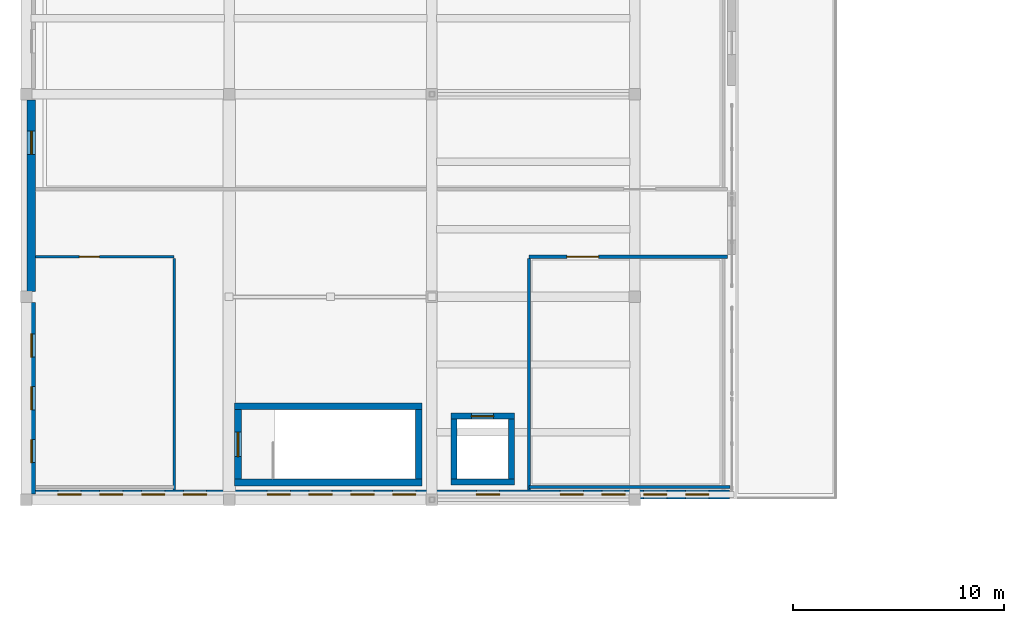
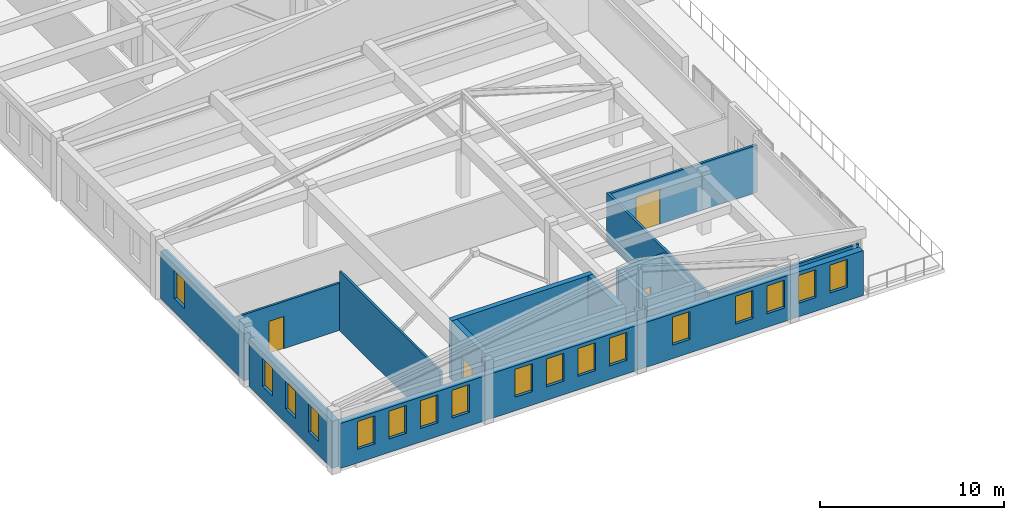
# One storey, part 10 of 31: 17 windows, 16 walls, 4 doors, 21 openings.
"""IFC4 building model written with IfcOpenShell, lengths in metres."""

import ifcopenshell
import ifcopenshell.guid

model = None  # the IFC model being written
_history = None  # IfcOwnerHistory: only IFC2X3 demands one
_inside = {}  # id of a spatial element -> (the spatial element, [elements in it])
_under = {}  # id of a project, library or spatial element -> (it, [spatial elements below it])
_declared = {}  # id of a project -> (the project, [libraries it declares])
_typed = {}  # id of a type object -> (the type object, [elements of that type])
_made_of = {}  # id of a material, layer set ... -> (it, [elements and type objects made of it])


def new_model(schema):
    """Start an empty IFC model of exactly this schema.

    Asked for "IFC4X3", IfcOpenShell would pick the latest addendum, in which some entities
    have other attributes; the version numbers below select the first issue.
    IFC2X3 requires an IfcOwnerHistory on every rooted entity: one is made here for all.
    """
    global model, _history
    if schema == "IFC4X3":
        model = ifcopenshell.file(schema_version=(4, 3, 0, 0))
    else:
        model = ifcopenshell.file(schema=schema)
    _inside.clear()
    _under.clear()
    _declared.clear()
    _typed.clear()
    _made_of.clear()
    _history = None
    if model.schema == "IFC2X3":
        org = make("IfcOrganization", Name="unknown")
        user = make(
            "IfcPersonAndOrganization",
            ThePerson=make("IfcPerson", FamilyName="unknown"),
            TheOrganization=org,
        )
        app = make(
            "IfcApplication",
            ApplicationDeveloper=org,
            Version="unknown",
            ApplicationFullName="unknown",
            ApplicationIdentifier="unknown",
        )
        _history = make(
            "IfcOwnerHistory",
            OwningUser=user,
            OwningApplication=app,
            ChangeAction="ADDED",
            CreationDate=0,
        )
    return model


def make(cls, **values):
    """One entity of the class cls with the attributes given. An attribute that is None is left unset."""
    return model.create_entity(
        cls, **{name: value for name, value in values.items() if value is not None}
    )


def rooted(cls, **values):
    """An entity with a GlobalId (a new one), such as an element, a storey or a relation."""
    return make(cls, GlobalId=ifcopenshell.guid.new(), OwnerHistory=_history, **values)


def si_unit(unit_type, name, prefix=None):
    """IfcSIUnit, for example si_unit("LENGTHUNIT", "METRE", prefix="MILLI")."""
    return make("IfcSIUnit", UnitType=unit_type, Prefix=prefix, Name=name)


def assignment(units):
    """IfcUnitAssignment: the units of a project."""
    return None if units is None else make("IfcUnitAssignment", Units=units)


def point(xyz):
    """IfcCartesianPoint."""
    return None if xyz is None else make("IfcCartesianPoint", Coordinates=xyz)


def direction(xyz):
    """IfcDirection."""
    return None if xyz is None else make("IfcDirection", DirectionRatios=xyz)


def frame(location, z_axis=None, x_axis=None):
    """IfcAxis2Placement3D, a coordinate frame: its origin and axes. An axis left out is left unset."""
    return make(
        "IfcAxis2Placement3D",
        Location=point(location),
        Axis=direction(z_axis),
        RefDirection=direction(x_axis),
    )


def frame_2d(location, x_axis=None):
    """IfcAxis2Placement2D, a coordinate frame in the plane: its origin and x axis."""
    return make(
        "IfcAxis2Placement2D", Location=point(location), RefDirection=direction(x_axis)
    )


def origin():
    """The frame at (0, 0, 0) with its axes left unset."""
    return frame((0.0, 0.0, 0.0))


def place(relative_to, where):
    """IfcLocalPlacement: puts the frame where relative to a parent placement (None: the world)."""
    return make(
        "IfcLocalPlacement", PlacementRelTo=relative_to, RelativePlacement=where
    )


def context(
    kind, dimensions, precision=None, world=None, true_north=None, identifier=None
):
    """IfcGeometricRepresentationContext, for example the 3D "Model" context."""
    return make(
        "IfcGeometricRepresentationContext",
        ContextIdentifier=identifier,
        ContextType=kind,
        CoordinateSpaceDimension=dimensions,
        Precision=precision,
        WorldCoordinateSystem=world,
        TrueNorth=true_north,
    )


def subcontext(parent, identifier, kind, view, scale=None):
    """IfcGeometricRepresentationSubContext, for example "Body" below "Model"."""
    return make(
        "IfcGeometricRepresentationSubContext",
        ContextIdentifier=identifier,
        ContextType=kind,
        ParentContext=parent,
        TargetScale=scale,
        TargetView=view,
    )


def project(units=None, contexts=None):
    """IfcProject with its units and contexts."""
    return rooted(
        "IfcProject",
        Name="project",
        RepresentationContexts=contexts,
        UnitsInContext=assignment(units),
    )


def spatial(cls, under=None, at=None, **own):
    """A site, building, storey or space (cls), placed at a placement, below another one or the project."""
    s = rooted(cls, ObjectPlacement=at, **own)
    if under is not None:
        _under.setdefault(under.id(), (under, []))[1].append(s)
    return s


def profile(cls, at=None, kind="AREA", **sizes):
    """A parametric profile (cls). Its sizes go by their IFC names, for example OverallWidth=200.0."""
    return make(cls, ProfileType=kind, Position=at, **sizes)


def rectangle(**sizes):
    """IfcRectangleProfileDef."""
    return profile("IfcRectangleProfileDef", **sizes)


def extrude(swept, where, along, depth):
    """IfcExtrudedAreaSolid: the profile swept, set in the frame where, extruded along a direction by depth."""
    return make(
        "IfcExtrudedAreaSolid",
        SweptArea=swept,
        Position=where,
        ExtrudedDirection=direction(along),
        Depth=depth,
    )


def shape(context_of_items, identifier, shape_type, items):
    """IfcShapeRepresentation: the items that make up one representation, for example the "Body"."""
    return make(
        "IfcShapeRepresentation",
        ContextOfItems=context_of_items,
        RepresentationIdentifier=identifier,
        RepresentationType=shape_type,
        Items=items,
    )


def material(Name=None, Category=None):
    """IfcMaterial."""
    return make("IfcMaterial", Name=Name, Category=Category)


def layer(
    of_material, thickness, ventilated=None, Name=None, Category=None, Priority=None
):
    """IfcMaterialLayer: one layer of a wall or slab, of a material (None: an air gap)."""
    return make(
        "IfcMaterialLayer",
        Material=of_material,
        LayerThickness=thickness,
        IsVentilated=ventilated,
        Name=Name,
        Category=Category,
        Priority=Priority,
    )


def layer_set(layers, Name=None):
    """IfcMaterialLayerSet."""
    return make("IfcMaterialLayerSet", MaterialLayers=layers, LayerSetName=Name)


def made_of(thing, what):
    """Note that an element or type object is made of a material, layer set ...; save() writes the relation."""
    if what is not None:
        _made_of.setdefault(what.id(), (what, []))[1].append(thing)
    return thing


def type_object(cls, material=None, **own):
    """A type object (cls), such as IfcWallType, which elements share."""
    return made_of(rooted(cls, **own), material)


def element(
    cls,
    number,
    at=None,
    inside=None,
    cuts=None,
    type_object=None,
    material=None,
    context=None,
    identifier="Body",
    shape_type=None,
    held_by="IfcProductDefinitionShape",
    body=None,
    shapes=None,
    **own,
):
    """One element of the class cls, such as IfcWall. Its Tag is "e" and its number.

    at: its placement. inside: the storey or other place that contains it. cuts: it is an
    opening in that element (IfcRelVoidsElement). A single representation is given by context,
    identifier, shape_type and body (its items); several are given by shapes. held_by: the class
    of the entity that holds the representations. save() writes the other relations.
    """
    e = rooted(cls, Tag="e%d" % number, ObjectPlacement=at, **own)
    if body is not None:
        shapes = [shape(context, identifier, shape_type, body)]
    if shapes is not None:
        e.Representation = make(held_by, Representations=shapes)
    if inside is not None:
        _inside.setdefault(inside.id(), (inside, []))[1].append(e)
    if cuts is not None:
        rooted(
            "IfcRelVoidsElement", RelatingBuildingElement=cuts, RelatedOpeningElement=e
        )
    if type_object is not None:
        _typed.setdefault(type_object.id(), (type_object, []))[1].append(e)
    return made_of(e, material)


def fill(opening, filler):
    """IfcRelFillsElement: the door or window that sits in an opening."""
    return rooted(
        "IfcRelFillsElement",
        RelatingOpeningElement=opening,
        RelatedBuildingElement=filler,
    )


def aggregate(whole, parts):
    """IfcRelAggregates: a whole, such as a stair, and the parts it consists of."""
    return rooted("IfcRelAggregates", RelatingObject=whole, RelatedObjects=parts)


def save(model, path):
    """Write the relations noted so far, then the file.

    IfcRelAggregates (storeys below a building ...), IfcRelContainedInSpatialStructure (elements
    in a storey), IfcRelDefinesByType, IfcRelAssociatesMaterial and IfcRelDeclares: one each for
    every whole, place, type object, material and project.
    """
    for whole, parts in _under.values():
        aggregate(whole, parts)
    for where, things in _inside.values():
        rooted(
            "IfcRelContainedInSpatialStructure",
            RelatedElements=things,
            RelatingStructure=where,
        )
    for kind, things in _typed.values():
        rooted("IfcRelDefinesByType", RelatedObjects=things, RelatingType=kind)
    for what, things in _made_of.values():
        rooted("IfcRelAssociatesMaterial", RelatedObjects=things, RelatingMaterial=what)
    for by, libraries in _declared.values():
        rooted("IfcRelDeclares", RelatingContext=by, RelatedDefinitions=libraries)
    model.write(path)


model = new_model("IFC4")

# Units and contexts
model_context = context("Model", 3, precision=1e-05, world=origin(), true_north=direction((0.0, 1.0)))
body_context = subcontext(model_context, "Body", "Model", "MODEL_VIEW")
ifc_project = project(units=[si_unit("LENGTHUNIT", "METRE"), si_unit("AREAUNIT", "SQUARE_METRE"), si_unit("VOLUMEUNIT", "CUBIC_METRE"), si_unit("PLANEANGLEUNIT", "RADIAN"), si_unit("MASSUNIT", "GRAM", prefix="KILO")], contexts=[model_context])

# Site, building, storey
site_placement = place(None, origin())
site = spatial("IfcSite", under=ifc_project, at=site_placement, CompositionType="ELEMENT")
building_placement = place(site_placement, origin())
building = spatial("IfcBuilding", under=site, at=building_placement, Name="Tarnavel Promenade Courthouse", CompositionType="ELEMENT")
storey_placement = place(building_placement, frame((0.0, 0.0, 18.60009765625)))
storey = spatial("IfcBuildingStorey", under=building, at=storey_placement, Name="L05", CompositionType="ELEMENT", Elevation=18.60009765625)

# Wall, opening, door
ifc_material_1 = material(Name="Acoustic Insulated Gypsum Stud Partition", Category="gypsum")
ifc_layer_1 = layer(ifc_material_1, 0.14990234375)
ifc_layer_set_1 = layer_set([ifc_layer_1], Name="Acoustic Insulated Gypsum Stud Partition")
wall_type_1 = type_object("IfcWallType", Name="Acoustic Insulated Gypsum Stud Partition WL-LIB-150 (150 mm)", PredefinedType="PARTITIONING", material=ifc_layer_set_1)
wall_1_placement = place(storey_placement, frame((23.800048828125, 48.699951171875, 0.0), z_axis=(0.0, 0.0, 1.0), x_axis=(1.0, 0.0, 0.0)))
wall_1 = element("IfcWall", 1, at=wall_1_placement, inside=storey, type_object=wall_type_1, Name="L05 Senior Judicial Research Library Partition 0712", PredefinedType="PARTITIONING", context=body_context, shape_type="SweptSolid", body=[
    extrude(rectangle(XDim=9.40087890625, YDim=0.14990234375, at=frame_2d((4.700439453125, 0.0))), origin(), (0.0, 0.0, 1.0), 3.139892578125),
])
opening_1_placement = place(wall_1_placement, frame((1.790283203125, 0.0, 0.0)))
opening_1 = element("IfcOpeningElement", 2, at=opening_1_placement, cuts=wall_1, Name="Opening ID-05", PredefinedType="OPENING", context=body_context, shape_type="SweptSolid", body=[
    extrude(rectangle(XDim=1.5, YDim=2.35009765625, at=frame_2d((0.75, 1.175048828125))), frame((0.0, 0.0849609375, 0.0), z_axis=(0.0, -1.0, 0.0), x_axis=(1.0, 0.0, 0.0)), (0.0, 0.0, 1.0), 0.169921875),
])
ifc_material_2 = material(Name="Glazed Oak Law Library Double Door")
door_type_1 = type_object("IfcDoorType", Name="Glazed Oak Law Library Double Door (DR-LIB-1500x2350)", OperationType="NOTDEFINED", PredefinedType="DOOR", material=ifc_material_2)
door_1_placement = place(opening_1_placement, origin())
door_1 = element("IfcDoor", 3, at=door_1_placement, inside=storey, type_object=door_type_1, Name="L05 Senior Judicial Research Library Door 0204", OperationType="DOUBLE_DOOR_SINGLE_SWING", OverallHeight=2.35009765625, OverallWidth=1.5, PredefinedType="DOOR", context=body_context, shape_type="SweptSolid", body=[
    extrude(rectangle(XDim=1.5, YDim=2.35009765625, at=frame_2d((0.75, 1.175048828125))), frame((0.0, 0.02490234375, 0.0), z_axis=(0.0, -1.0, 0.0), x_axis=(1.0, 0.0, 0.0)), (0.0, 0.0, 1.0), 0.050048828125),
])
fill(opening_1, door_1)

# Walls
wall_2_placement = place(storey_placement, frame((33.31005859375, 37.800048828125, 0.0), z_axis=(0.0, 0.0, 1.0), x_axis=(-1.0, 0.0, 0.0)))
element("IfcWall", 4, at=wall_2_placement, inside=storey, type_object=wall_type_1, Name="L05 Senior Judicial Research Library Partition 0713", PredefinedType="PARTITIONING", context=body_context, shape_type="SweptSolid", body=[
    extrude(rectangle(XDim=9.510009765625, YDim=0.14990234375, at=frame_2d((4.7548828125, 0.0))), origin(), (0.0, 0.0, 1.0), 3.139892578125),
])
wall_3_placement = place(storey_placement, frame((23.800048828125, 37.64892578125, 0.0), z_axis=(0.0, 0.0, 1.0), x_axis=(0.0, 1.0, 0.0)))
element("IfcWall", 5, at=wall_3_placement, inside=storey, type_object=wall_type_1, Name="L05 Senior Judicial Research Library Partition 0714", PredefinedType="PARTITIONING", context=body_context, shape_type="SweptSolid", body=[
    extrude(rectangle(XDim=10.966064453125, YDim=0.14990234375, at=frame_2d((5.48291015625, 0.0))), origin(), (0.0, 0.0, 1.0), 3.289794921875),
])

# Wall, opening, door
ifc_material_3 = material(Name="Concrete C40/50", Category="concrete")
ifc_layer_2 = layer(ifc_material_3, 0.280029296875)
ifc_layer_set_2 = layer_set([ifc_layer_2], Name="Concrete C40/50")
wall_type_2 = type_object("IfcWallType", Name="Concrete C40/50 WL-SHR-280 (280 mm)", PredefinedType="SHEAR", material=ifc_layer_set_2)
wall_4_placement = place(storey_placement, frame((20.10009765625, 41.159912109375, 0.0), z_axis=(0.0, 0.0, 1.0), x_axis=(1.0, 0.0, 0.0)))
wall_4 = element("IfcWall", 6, at=wall_4_placement, inside=storey, type_object=wall_type_2, Name="L05 L-LIB1 Lift Shaft North Wall", PredefinedType="SHEAR", context=body_context, shape_type="SweptSolid", body=[
    extrude(rectangle(XDim=3.0, YDim=0.280029296875, at=frame_2d((1.5, 0.0))), origin(), (0.0, 0.0, 1.0), 3.9599609375),
])
opening_2_placement = place(wall_4_placement, frame((0.97509765625, 0.0, 0.0)))
opening_2 = element("IfcOpeningElement", 7, at=opening_2_placement, cuts=wall_4, Name="Opening LD-02", PredefinedType="OPENING", context=body_context, shape_type="SweptSolid", body=[
    extrude(rectangle(XDim=1.050048828125, YDim=2.199951171875, at=frame_2d((0.52490234375, 1.10009765625))), frame((0.0, 0.14990234375, 0.0), z_axis=(0.0, -1.0, 0.0), x_axis=(1.0, 0.0, 0.0)), (0.0, 0.0, 1.0), 0.300048828125),
])
ifc_material_4 = material(Name="Brushed Bronze Passenger Lift Landing Sliding Door")
door_type_2 = type_object("IfcDoorType", Name="Brushed Bronze Passenger Lift Landing Sliding Door (LD-PUB-1050x2200)", OperationType="NOTDEFINED", PredefinedType="DOOR", material=ifc_material_4)
door_2_placement = place(opening_2_placement, origin())
door_2 = element("IfcDoor", 8, at=door_2_placement, inside=storey, type_object=door_type_2, Name="L05 L-LIB1 Lift Sliding Landing Door", OperationType="DOUBLE_DOOR_SLIDING", OverallHeight=2.199951171875, OverallWidth=1.050048828125, PredefinedType="DOOR", context=body_context, shape_type="SweptSolid", body=[
    extrude(rectangle(XDim=1.050048828125, YDim=2.199951171875, at=frame_2d((0.52490234375, 1.10009765625))), frame((0.0, 0.02490234375, 0.0), z_axis=(0.0, -1.0, 0.0), x_axis=(1.0, 0.0, 0.0)), (0.0, 0.0, 1.0), 0.050048828125),
])
fill(opening_2, door_2)

# Walls
wall_5_placement = place(storey_placement, frame((23.10009765625, 38.0400390625, 0.0), z_axis=(0.0, 0.0, 1.0), x_axis=(-1.0, 0.0, 0.0)))
element("IfcWall", 9, at=wall_5_placement, inside=storey, type_object=wall_type_2, Name="L05 L-LIB1 Lift Shaft South Wall", PredefinedType="SHEAR", context=body_context, shape_type="SweptSolid", body=[
    extrude(rectangle(XDim=3.0, YDim=0.280029296875, at=frame_2d((1.5, 0.0))), origin(), (0.0, 0.0, 1.0), 3.9599609375),
])
for number, where, z_axis, x_axis, name in (
    (10, (20.239990234375, 38.179931640625, 0.0), (0.0, 0.0, 1.0), (0.0, 1.0, 0.0), "L05 L-LIB1 Lift Shaft West Wall"),
    (11, (22.9599609375, 41.02001953125, 0.0), (0.0, 0.0, 1.0), (0.0, -1.0, 0.0), "L05 L-LIB1 Lift Shaft East Wall"),
):
    element("IfcWall", number, at=place(storey_placement, frame(where, z_axis=z_axis, x_axis=x_axis)), inside=storey, type_object=wall_type_2, Name=name, PredefinedType="SHEAR", context=body_context, shape_type="SweptSolid", body=[
        extrude(rectangle(XDim=2.840087890625, YDim=0.280029296875, at=frame_2d((1.419921875, 0.0))), origin(), (0.0, 0.0, 1.0), 3.9599609375),
    ])
ifc_layer_3 = layer(ifc_material_3, 0.320068359375)
ifc_layer_set_3 = layer_set([ifc_layer_3], Name="Concrete C40/50")
wall_type_3 = type_object("IfcWallType", Name="Concrete C40/50 WL-SHR-320 (320 mm)", PredefinedType="SHEAR", material=ifc_layer_set_3)
for number, where, z_axis, x_axis, name in (
    (12, (9.860107421875, 41.6201171875, 0.0), (0.0, 0.0, 1.0), (1.0, 0.0, 0.0), "L05 ST-05 Shear Core North Wall"),
    (13, (18.739990234375, 38.02001953125, 0.0), (0.0, 0.0, 1.0), (-1.0, 0.0, 0.0), "L05 ST-05 Shear Core South Wall"),
):
    element("IfcWall", number, at=place(storey_placement, frame(where, z_axis=z_axis, x_axis=x_axis)), inside=storey, type_object=wall_type_3, Name=name, PredefinedType="SHEAR", context=body_context, shape_type="SweptSolid", body=[
        extrude(rectangle(XDim=8.8798828125, YDim=0.320068359375, at=frame_2d((4.43994140625, 0.0))), origin(), (0.0, 0.0, 1.0), 3.9599609375),
    ])

# Wall, opening, door
wall_6_placement = place(storey_placement, frame((10.02001953125, 38.179931640625, 0.0), z_axis=(0.0, 0.0, 1.0), x_axis=(0.0, 1.0, 0.0)))
wall_6 = element("IfcWall", 14, at=wall_6_placement, inside=storey, type_object=wall_type_3, Name="L05 ST-05 Shear Core West Landing Wall", PredefinedType="SHEAR", context=body_context, shape_type="SweptSolid", body=[
    extrude(rectangle(XDim=3.280029296875, YDim=0.320068359375, at=frame_2d((1.64013671875, 0.0))), origin(), (0.0, 0.0, 1.0), 3.9599609375),
])
opening_3_placement = place(wall_6_placement, frame((1.06494140625, 0.0, 0.0)))
opening_3 = element("IfcOpeningElement", 15, at=opening_3_placement, cuts=wall_6, Name="Opening FD-01", PredefinedType="OPENING", context=body_context, shape_type="SweptSolid", body=[
    extrude(rectangle(XDim=1.14990234375, YDim=2.199951171875, at=frame_2d((0.574951171875, 1.10009765625))), frame((0.0, 0.169921875, 0.0), z_axis=(0.0, -1.0, 0.0), x_axis=(1.0, 0.0, 0.0)), (0.0, 0.0, 1.0), 0.340087890625),
])
ifc_material_5 = material(Name="Steel Fire-Rated Stair Core Door", Category="steel")
door_type_3 = type_object("IfcDoorType", Name="Steel Fire-Rated Stair Core Door (DR-ST-1150x2200)", OperationType="NOTDEFINED", PredefinedType="DOOR", material=ifc_material_5)
door_3_placement = place(opening_3_placement, origin())
door_3 = element("IfcDoor", 16, at=door_3_placement, inside=storey, type_object=door_type_3, Name="L05 ST-05 Protected Exit Stair Door", OperationType="SINGLE_SWING_RIGHT", OverallHeight=2.199951171875, OverallWidth=1.14990234375, PredefinedType="DOOR", context=body_context, shape_type="SweptSolid", body=[
    extrude(rectangle(XDim=1.14990234375, YDim=2.199951171875, at=frame_2d((0.574951171875, 1.10009765625))), frame((0.0, 0.02490234375, 0.0), z_axis=(0.0, -1.0, 0.0), x_axis=(1.0, 0.0, 0.0)), (0.0, 0.0, 1.0), 0.050048828125),
])
fill(opening_3, door_3)

# Wall
wall_7_placement = place(storey_placement, frame((18.580078125, 41.4599609375, 0.0), z_axis=(0.0, 0.0, 1.0), x_axis=(0.0, -1.0, 0.0)))
element("IfcWall", 17, at=wall_7_placement, inside=storey, type_object=wall_type_3, Name="L05 ST-05 Shear Core East Wall", PredefinedType="SHEAR", context=body_context, shape_type="SweptSolid", body=[
    extrude(rectangle(XDim=3.280029296875, YDim=0.320068359375, at=frame_2d((1.64013671875, 0.0))), origin(), (0.0, 0.0, 1.0), 3.9599609375),
])

# Wall, openings, windows
ifc_material_6 = material(Name="Cream Brick Insulated Cavity Facade Assembly", Category="masonry")
ifc_layer_4 = layer(ifc_material_6, 0.409912109375)
ifc_layer_set_4 = layer_set([ifc_layer_4], Name="Cream Brick Insulated Cavity Facade Assembly")
wall_type_4 = type_object("IfcWallType", Name="Cream Brick Insulated Cavity Facade Assembly WL-EXT-410 (410 mm)", PredefinedType="STANDARD", material=ifc_layer_set_4)
wall_8_placement = place(storey_placement, frame((0.239990234375, 37.467041015625, 0.0), z_axis=(0.0, 0.0, 1.0), x_axis=(0.0, 1.0, 0.0)))
wall_8 = element("IfcWall", 18, at=wall_8_placement, inside=storey, type_object=wall_type_4, Name="L05 Law Library West Brick Facade 0352", PredefinedType="STANDARD", context=body_context, shape_type="SweptSolid", body=[
    extrude(rectangle(XDim=9.06591796875, YDim=0.409912109375, at=frame_2d((4.532958984375, 0.0))), origin(), (0.0, 0.0, 1.0), 3.139892578125),
])
opening_4_placement = place(wall_8_placement, frame((1.48291015625, 0.0, 0.89990234375)))
opening_4 = element("IfcOpeningElement", 19, at=opening_4_placement, cuts=wall_8, Name="Opening W-07", PredefinedType="OPENING", context=body_context, shape_type="SweptSolid", body=[
    extrude(rectangle(XDim=1.10009765625, YDim=1.85009765625, at=frame_2d((0.550048828125, 0.925048828125))), frame((0.0, 0.21484375, 0.0), z_axis=(0.0, -1.0, 0.0), x_axis=(1.0, 0.0, 0.0)), (0.0, 0.0, 1.0), 0.429931640625),
])
opening_5_placement = place(wall_8_placement, frame((3.98291015625, 0.0, 0.89990234375)))
opening_5 = element("IfcOpeningElement", 20, at=opening_5_placement, cuts=wall_8, Name="Opening W-07", PredefinedType="OPENING", context=body_context, shape_type="SweptSolid", body=[
    extrude(rectangle(XDim=1.10009765625, YDim=1.85009765625, at=frame_2d((0.550048828125, 0.925048828125))), frame((0.0, 0.21484375, 0.0), z_axis=(0.0, -1.0, 0.0), x_axis=(1.0, 0.0, 0.0)), (0.0, 0.0, 1.0), 0.429931640625),
])
opening_6_placement = place(wall_8_placement, frame((6.48291015625, 0.0, 0.89990234375)))
opening_6 = element("IfcOpeningElement", 21, at=opening_6_placement, cuts=wall_8, Name="Opening W-07", PredefinedType="OPENING", context=body_context, shape_type="SweptSolid", body=[
    extrude(rectangle(XDim=1.10009765625, YDim=1.85009765625, at=frame_2d((0.550048828125, 0.925048828125))), frame((0.0, 0.21484375, 0.0), z_axis=(0.0, -1.0, 0.0), x_axis=(1.0, 0.0, 0.0)), (0.0, 0.0, 1.0), 0.429931640625),
])
ifc_material_7 = material(Name="Triple Low-E Glazed Bronze-Clad Window Assembly")
window_type = type_object("IfcWindowType", Name="Triple-Glazed Bronze-Clad Timber-Aluminium WIN-LIB-1100x1850", PartitioningType="SINGLE_PANEL", PredefinedType="WINDOW", material=ifc_material_7)
window_1_placement = place(opening_4_placement, origin())
window_1 = element("IfcWindow", 22, at=window_1_placement, inside=storey, type_object=window_type, Name="L05 Exterior Window 0421", OverallHeight=1.85009765625, OverallWidth=1.10009765625, PartitioningType="SINGLE_PANEL", PredefinedType="WINDOW", context=body_context, shape_type="SweptSolid", body=[
    extrude(rectangle(XDim=1.10009765625, YDim=1.85009765625, at=frame_2d((0.550048828125, 0.925048828125))), frame((0.0, 0.030029296875, 0.0), z_axis=(0.0, -1.0, 0.0), x_axis=(1.0, 0.0, 0.0)), (0.0, 0.0, 1.0), 0.06005859375),
])
fill(opening_4, window_1)
window_2_placement = place(opening_5_placement, origin())
window_2 = element("IfcWindow", 23, at=window_2_placement, inside=storey, type_object=window_type, Name="L05 Exterior Window 0422", OverallHeight=1.85009765625, OverallWidth=1.10009765625, PartitioningType="SINGLE_PANEL", PredefinedType="WINDOW", context=body_context, shape_type="SweptSolid", body=[
    extrude(rectangle(XDim=1.10009765625, YDim=1.85009765625, at=frame_2d((0.550048828125, 0.925048828125))), frame((0.0, 0.030029296875, 0.0), z_axis=(0.0, -1.0, 0.0), x_axis=(1.0, 0.0, 0.0)), (0.0, 0.0, 1.0), 0.06005859375),
])
fill(opening_5, window_2)
window_3_placement = place(opening_6_placement, origin())
window_3 = element("IfcWindow", 24, at=window_3_placement, inside=storey, type_object=window_type, Name="L05 Exterior Window 0423", OverallHeight=1.85009765625, OverallWidth=1.10009765625, PartitioningType="SINGLE_PANEL", PredefinedType="WINDOW", context=body_context, shape_type="SweptSolid", body=[
    extrude(rectangle(XDim=1.10009765625, YDim=1.85009765625, at=frame_2d((0.550048828125, 0.925048828125))), frame((0.0, 0.030029296875, 0.0), z_axis=(0.0, -1.0, 0.0), x_axis=(1.0, 0.0, 0.0)), (0.0, 0.0, 1.0), 0.06005859375),
])
fill(opening_6, window_3)

# Wall, opening, window
wall_9_placement = place(storey_placement, frame((0.239990234375, 47.06689453125, 0.0), z_axis=(0.0, 0.0, 1.0), x_axis=(0.0, 1.0, 0.0)))
wall_9 = element("IfcWall", 25, at=wall_9_placement, inside=storey, type_object=wall_type_4, Name="L05 Law Library West Brick Facade 0353", PredefinedType="STANDARD", context=body_context, shape_type="SweptSolid", body=[
    extrude(rectangle(XDim=9.066162109375, YDim=0.409912109375, at=frame_2d((4.533203125, 0.0))), origin(), (0.0, 0.0, 1.0), 3.139892578125),
])
opening_7_placement = place(wall_9_placement, frame((6.48291015625, 0.0, 0.89990234375)))
opening_7 = element("IfcOpeningElement", 26, at=opening_7_placement, cuts=wall_9, Name="Opening W-07", PredefinedType="OPENING", context=body_context, shape_type="SweptSolid", body=[
    extrude(rectangle(XDim=1.10009765625, YDim=1.85009765625, at=frame_2d((0.550048828125, 0.925048828125))), frame((0.0, 0.21484375, 0.0), z_axis=(0.0, -1.0, 0.0), x_axis=(1.0, 0.0, 0.0)), (0.0, 0.0, 1.0), 0.429931640625),
])
window_4_placement = place(opening_7_placement, origin())
window_4 = element("IfcWindow", 27, at=window_4_placement, inside=storey, type_object=window_type, Name="L05 Exterior Window 0424", OverallHeight=1.85009765625, OverallWidth=1.10009765625, PartitioningType="SINGLE_PANEL", PredefinedType="WINDOW", context=body_context, shape_type="SweptSolid", body=[
    extrude(rectangle(XDim=1.10009765625, YDim=1.85009765625, at=frame_2d((0.550048828125, 0.925048828125))), frame((0.0, 0.030029296875, 0.0), z_axis=(0.0, -1.0, 0.0), x_axis=(1.0, 0.0, 0.0)), (0.0, 0.0, 1.0), 0.06005859375),
])
fill(opening_7, window_4)

# Wall, openings, windows
wall_10_placement = place(storey_placement, frame((33.300048828125, 37.449951171875, 0.0), z_axis=(0.0, 0.0, 1.0), x_axis=(-1.0, 0.0, 0.0)))
wall_10 = element("IfcWall", 28, at=wall_10_placement, inside=storey, type_object=wall_type_4, Name="L05 L05 Law Library South Facade 0452", PredefinedType="STANDARD", context=body_context, shape_type="SweptSolid", body=[
    extrude(rectangle(XDim=32.863037109375, YDim=0.409912109375, at=frame_2d((16.431640625, 0.0))), origin(), (0.0, 0.0, 1.0), 2.989990234375),
])
opening_8_placement = place(wall_10_placement, frame((0.990478515625, 0.0, 0.89990234375)))
opening_8 = element("IfcOpeningElement", 29, at=opening_8_placement, cuts=wall_10, Name="Opening W-07", PredefinedType="OPENING", context=body_context, shape_type="SweptSolid", body=[
    extrude(rectangle(XDim=1.10009765625, YDim=1.85009765625, at=frame_2d((0.550048828125, 0.925048828125))), frame((0.0, 0.21484375, 0.0), z_axis=(0.0, -1.0, 0.0), x_axis=(1.0, 0.0, 0.0)), (0.0, 0.0, 1.0), 0.429931640625),
])
opening_9_placement = place(wall_10_placement, frame((2.971923828125, 0.0, 0.89990234375)))
opening_9 = element("IfcOpeningElement", 30, at=opening_9_placement, cuts=wall_10, Name="Opening W-07", PredefinedType="OPENING", context=body_context, shape_type="SweptSolid", body=[
    extrude(rectangle(XDim=1.10009765625, YDim=1.85009765625, at=frame_2d((0.550048828125, 0.925048828125))), frame((0.0, 0.21484375, 0.0), z_axis=(0.0, -1.0, 0.0), x_axis=(1.0, 0.0, 0.0)), (0.0, 0.0, 1.0), 0.429931640625),
])
opening_10_placement = place(wall_10_placement, frame((4.953125, 0.0, 0.89990234375)))
opening_10 = element("IfcOpeningElement", 31, at=opening_10_placement, cuts=wall_10, Name="Opening W-07", PredefinedType="OPENING", context=body_context, shape_type="SweptSolid", body=[
    extrude(rectangle(XDim=1.10009765625, YDim=1.85009765625, at=frame_2d((0.550048828125, 0.925048828125))), frame((0.0, 0.21484375, 0.0), z_axis=(0.0, -1.0, 0.0), x_axis=(1.0, 0.0, 0.0)), (0.0, 0.0, 1.0), 0.429931640625),
])
opening_11_placement = place(wall_10_placement, frame((6.934326171875, 0.0, 0.89990234375)))
opening_11 = element("IfcOpeningElement", 32, at=opening_11_placement, cuts=wall_10, Name="Opening W-07", PredefinedType="OPENING", context=body_context, shape_type="SweptSolid", body=[
    extrude(rectangle(XDim=1.10009765625, YDim=1.85009765625, at=frame_2d((0.550048828125, 0.925048828125))), frame((0.0, 0.21484375, 0.0), z_axis=(0.0, -1.0, 0.0), x_axis=(1.0, 0.0, 0.0)), (0.0, 0.0, 1.0), 0.429931640625),
])
opening_12_placement = place(wall_10_placement, frame((10.89697265625, 0.0, 0.89990234375)))
opening_12 = element("IfcOpeningElement", 33, at=opening_12_placement, cuts=wall_10, Name="Opening W-07", PredefinedType="OPENING", context=body_context, shape_type="SweptSolid", body=[
    extrude(rectangle(XDim=1.10009765625, YDim=1.85009765625, at=frame_2d((0.550048828125, 0.925048828125))), frame((0.0, 0.21484375, 0.0), z_axis=(0.0, -1.0, 0.0), x_axis=(1.0, 0.0, 0.0)), (0.0, 0.0, 1.0), 0.429931640625),
])
opening_13_placement = place(wall_10_placement, frame((14.859375, 0.0, 0.89990234375)))
opening_13 = element("IfcOpeningElement", 34, at=opening_13_placement, cuts=wall_10, Name="Opening W-07", PredefinedType="OPENING", context=body_context, shape_type="SweptSolid", body=[
    extrude(rectangle(XDim=1.10009765625, YDim=1.85009765625, at=frame_2d((0.550048828125, 0.925048828125))), frame((0.0, 0.21484375, 0.0), z_axis=(0.0, -1.0, 0.0), x_axis=(1.0, 0.0, 0.0)), (0.0, 0.0, 1.0), 0.429931640625),
])
opening_14_placement = place(wall_10_placement, frame((16.840576171875, 0.0, 0.89990234375)))
opening_14 = element("IfcOpeningElement", 35, at=opening_14_placement, cuts=wall_10, Name="Opening W-07", PredefinedType="OPENING", context=body_context, shape_type="SweptSolid", body=[
    extrude(rectangle(XDim=1.10009765625, YDim=1.85009765625, at=frame_2d((0.550048828125, 0.925048828125))), frame((0.0, 0.21484375, 0.0), z_axis=(0.0, -1.0, 0.0), x_axis=(1.0, 0.0, 0.0)), (0.0, 0.0, 1.0), 0.429931640625),
])
opening_15_placement = place(wall_10_placement, frame((18.822021484375, 0.0, 0.89990234375)))
opening_15 = element("IfcOpeningElement", 36, at=opening_15_placement, cuts=wall_10, Name="Opening W-07", PredefinedType="OPENING", context=body_context, shape_type="SweptSolid", body=[
    extrude(rectangle(XDim=1.10009765625, YDim=1.85009765625, at=frame_2d((0.550048828125, 0.925048828125))), frame((0.0, 0.21484375, 0.0), z_axis=(0.0, -1.0, 0.0), x_axis=(1.0, 0.0, 0.0)), (0.0, 0.0, 1.0), 0.429931640625),
])
opening_16_placement = place(wall_10_placement, frame((20.802978515625, 0.0, 0.89990234375)))
opening_16 = element("IfcOpeningElement", 37, at=opening_16_placement, cuts=wall_10, Name="Opening W-07", PredefinedType="OPENING", context=body_context, shape_type="SweptSolid", body=[
    extrude(rectangle(XDim=1.10009765625, YDim=1.85009765625, at=frame_2d((0.550048828125, 0.925048828125))), frame((0.0, 0.21484375, 0.0), z_axis=(0.0, -1.0, 0.0), x_axis=(1.0, 0.0, 0.0)), (0.0, 0.0, 1.0), 0.429931640625),
])
opening_17_placement = place(wall_10_placement, frame((24.765625, 0.0, 0.89990234375)))
opening_17 = element("IfcOpeningElement", 38, at=opening_17_placement, cuts=wall_10, Name="Opening W-07", PredefinedType="OPENING", context=body_context, shape_type="SweptSolid", body=[
    extrude(rectangle(XDim=1.10009765625, YDim=1.85009765625, at=frame_2d((0.550048828125, 0.925048828125))), frame((0.0, 0.21484375, 0.0), z_axis=(0.0, -1.0, 0.0), x_axis=(1.0, 0.0, 0.0)), (0.0, 0.0, 1.0), 0.429931640625),
])
opening_18_placement = place(wall_10_placement, frame((26.746826171875, 0.0, 0.89990234375)))
opening_18 = element("IfcOpeningElement", 39, at=opening_18_placement, cuts=wall_10, Name="Opening W-07", PredefinedType="OPENING", context=body_context, shape_type="SweptSolid", body=[
    extrude(rectangle(XDim=1.10009765625, YDim=1.85009765625, at=frame_2d((0.550048828125, 0.925048828125))), frame((0.0, 0.21484375, 0.0), z_axis=(0.0, -1.0, 0.0), x_axis=(1.0, 0.0, 0.0)), (0.0, 0.0, 1.0), 0.429931640625),
])
opening_19_placement = place(wall_10_placement, frame((28.72802734375, 0.0, 0.89990234375)))
opening_19 = element("IfcOpeningElement", 40, at=opening_19_placement, cuts=wall_10, Name="Opening W-07", PredefinedType="OPENING", context=body_context, shape_type="SweptSolid", body=[
    extrude(rectangle(XDim=1.10009765625, YDim=1.85009765625, at=frame_2d((0.550048828125, 0.925048828125))), frame((0.0, 0.21484375, 0.0), z_axis=(0.0, -1.0, 0.0), x_axis=(1.0, 0.0, 0.0)), (0.0, 0.0, 1.0), 0.429931640625),
])
opening_20_placement = place(wall_10_placement, frame((30.70947265625, 0.0, 0.89990234375)))
opening_20 = element("IfcOpeningElement", 41, at=opening_20_placement, cuts=wall_10, Name="Opening W-07", PredefinedType="OPENING", context=body_context, shape_type="SweptSolid", body=[
    extrude(rectangle(XDim=1.10009765625, YDim=1.85009765625, at=frame_2d((0.550048828125, 0.925048828125))), frame((0.0, 0.21484375, 0.0), z_axis=(0.0, -1.0, 0.0), x_axis=(1.0, 0.0, 0.0)), (0.0, 0.0, 1.0), 0.429931640625),
])
window_5_placement = place(opening_8_placement, origin())
window_5 = element("IfcWindow", 42, at=window_5_placement, inside=storey, type_object=window_type, Name="L05 Exterior Window 0592", OverallHeight=1.85009765625, OverallWidth=1.10009765625, PartitioningType="SINGLE_PANEL", PredefinedType="WINDOW", context=body_context, shape_type="SweptSolid", body=[
    extrude(rectangle(XDim=1.10009765625, YDim=1.85009765625, at=frame_2d((0.550048828125, 0.925048828125))), frame((0.0, 0.030029296875, 0.0), z_axis=(0.0, -1.0, 0.0), x_axis=(1.0, 0.0, 0.0)), (0.0, 0.0, 1.0), 0.06005859375),
])
fill(opening_8, window_5)
window_6_placement = place(opening_9_placement, origin())
window_6 = element("IfcWindow", 43, at=window_6_placement, inside=storey, type_object=window_type, Name="L05 Exterior Window 0593", OverallHeight=1.85009765625, OverallWidth=1.10009765625, PartitioningType="SINGLE_PANEL", PredefinedType="WINDOW", context=body_context, shape_type="SweptSolid", body=[
    extrude(rectangle(XDim=1.10009765625, YDim=1.85009765625, at=frame_2d((0.550048828125, 0.925048828125))), frame((0.0, 0.030029296875, 0.0), z_axis=(0.0, -1.0, 0.0), x_axis=(1.0, 0.0, 0.0)), (0.0, 0.0, 1.0), 0.06005859375),
])
fill(opening_9, window_6)
window_7_placement = place(opening_10_placement, origin())
window_7 = element("IfcWindow", 44, at=window_7_placement, inside=storey, type_object=window_type, Name="L05 Exterior Window 0594", OverallHeight=1.85009765625, OverallWidth=1.10009765625, PartitioningType="SINGLE_PANEL", PredefinedType="WINDOW", context=body_context, shape_type="SweptSolid", body=[
    extrude(rectangle(XDim=1.10009765625, YDim=1.85009765625, at=frame_2d((0.550048828125, 0.925048828125))), frame((0.0, 0.030029296875, 0.0), z_axis=(0.0, -1.0, 0.0), x_axis=(1.0, 0.0, 0.0)), (0.0, 0.0, 1.0), 0.06005859375),
])
fill(opening_10, window_7)
window_8_placement = place(opening_11_placement, origin())
window_8 = element("IfcWindow", 45, at=window_8_placement, inside=storey, type_object=window_type, Name="L05 Exterior Window 0595", OverallHeight=1.85009765625, OverallWidth=1.10009765625, PartitioningType="SINGLE_PANEL", PredefinedType="WINDOW", context=body_context, shape_type="SweptSolid", body=[
    extrude(rectangle(XDim=1.10009765625, YDim=1.85009765625, at=frame_2d((0.550048828125, 0.925048828125))), frame((0.0, 0.030029296875, 0.0), z_axis=(0.0, -1.0, 0.0), x_axis=(1.0, 0.0, 0.0)), (0.0, 0.0, 1.0), 0.06005859375),
])
fill(opening_11, window_8)
window_9_placement = place(opening_12_placement, origin())
window_9 = element("IfcWindow", 46, at=window_9_placement, inside=storey, type_object=window_type, Name="L05 Exterior Window 0596", OverallHeight=1.85009765625, OverallWidth=1.10009765625, PartitioningType="SINGLE_PANEL", PredefinedType="WINDOW", context=body_context, shape_type="SweptSolid", body=[
    extrude(rectangle(XDim=1.10009765625, YDim=1.85009765625, at=frame_2d((0.550048828125, 0.925048828125))), frame((0.0, 0.030029296875, 0.0), z_axis=(0.0, -1.0, 0.0), x_axis=(1.0, 0.0, 0.0)), (0.0, 0.0, 1.0), 0.06005859375),
])
fill(opening_12, window_9)
window_10_placement = place(opening_13_placement, origin())
window_10 = element("IfcWindow", 47, at=window_10_placement, inside=storey, type_object=window_type, Name="L05 Exterior Window 0597", OverallHeight=1.85009765625, OverallWidth=1.10009765625, PartitioningType="SINGLE_PANEL", PredefinedType="WINDOW", context=body_context, shape_type="SweptSolid", body=[
    extrude(rectangle(XDim=1.10009765625, YDim=1.85009765625, at=frame_2d((0.550048828125, 0.925048828125))), frame((0.0, 0.030029296875, 0.0), z_axis=(0.0, -1.0, 0.0), x_axis=(1.0, 0.0, 0.0)), (0.0, 0.0, 1.0), 0.06005859375),
])
fill(opening_13, window_10)
window_11_placement = place(opening_14_placement, origin())
window_11 = element("IfcWindow", 48, at=window_11_placement, inside=storey, type_object=window_type, Name="L05 Exterior Window 0598", OverallHeight=1.85009765625, OverallWidth=1.10009765625, PartitioningType="SINGLE_PANEL", PredefinedType="WINDOW", context=body_context, shape_type="SweptSolid", body=[
    extrude(rectangle(XDim=1.10009765625, YDim=1.85009765625, at=frame_2d((0.550048828125, 0.925048828125))), frame((0.0, 0.030029296875, 0.0), z_axis=(0.0, -1.0, 0.0), x_axis=(1.0, 0.0, 0.0)), (0.0, 0.0, 1.0), 0.06005859375),
])
fill(opening_14, window_11)
window_12_placement = place(opening_15_placement, origin())
window_12 = element("IfcWindow", 49, at=window_12_placement, inside=storey, type_object=window_type, Name="L05 Exterior Window 0599", OverallHeight=1.85009765625, OverallWidth=1.10009765625, PartitioningType="SINGLE_PANEL", PredefinedType="WINDOW", context=body_context, shape_type="SweptSolid", body=[
    extrude(rectangle(XDim=1.10009765625, YDim=1.85009765625, at=frame_2d((0.550048828125, 0.925048828125))), frame((0.0, 0.030029296875, 0.0), z_axis=(0.0, -1.0, 0.0), x_axis=(1.0, 0.0, 0.0)), (0.0, 0.0, 1.0), 0.06005859375),
])
fill(opening_15, window_12)
window_13_placement = place(opening_16_placement, origin())
window_13 = element("IfcWindow", 50, at=window_13_placement, inside=storey, type_object=window_type, Name="L05 Exterior Window 0600", OverallHeight=1.85009765625, OverallWidth=1.10009765625, PartitioningType="SINGLE_PANEL", PredefinedType="WINDOW", context=body_context, shape_type="SweptSolid", body=[
    extrude(rectangle(XDim=1.10009765625, YDim=1.85009765625, at=frame_2d((0.550048828125, 0.925048828125))), frame((0.0, 0.030029296875, 0.0), z_axis=(0.0, -1.0, 0.0), x_axis=(1.0, 0.0, 0.0)), (0.0, 0.0, 1.0), 0.06005859375),
])
fill(opening_16, window_13)
window_14_placement = place(opening_17_placement, origin())
window_14 = element("IfcWindow", 51, at=window_14_placement, inside=storey, type_object=window_type, Name="L05 Exterior Window 0601", OverallHeight=1.85009765625, OverallWidth=1.10009765625, PartitioningType="SINGLE_PANEL", PredefinedType="WINDOW", context=body_context, shape_type="SweptSolid", body=[
    extrude(rectangle(XDim=1.10009765625, YDim=1.85009765625, at=frame_2d((0.550048828125, 0.925048828125))), frame((0.0, 0.030029296875, 0.0), z_axis=(0.0, -1.0, 0.0), x_axis=(1.0, 0.0, 0.0)), (0.0, 0.0, 1.0), 0.06005859375),
])
fill(opening_17, window_14)
window_15_placement = place(opening_18_placement, origin())
window_15 = element("IfcWindow", 52, at=window_15_placement, inside=storey, type_object=window_type, Name="L05 Exterior Window 0602", OverallHeight=1.85009765625, OverallWidth=1.10009765625, PartitioningType="SINGLE_PANEL", PredefinedType="WINDOW", context=body_context, shape_type="SweptSolid", body=[
    extrude(rectangle(XDim=1.10009765625, YDim=1.85009765625, at=frame_2d((0.550048828125, 0.925048828125))), frame((0.0, 0.030029296875, 0.0), z_axis=(0.0, -1.0, 0.0), x_axis=(1.0, 0.0, 0.0)), (0.0, 0.0, 1.0), 0.06005859375),
])
fill(opening_18, window_15)
window_16_placement = place(opening_19_placement, origin())
window_16 = element("IfcWindow", 53, at=window_16_placement, inside=storey, type_object=window_type, Name="L05 Exterior Window 0603", OverallHeight=1.85009765625, OverallWidth=1.10009765625, PartitioningType="SINGLE_PANEL", PredefinedType="WINDOW", context=body_context, shape_type="SweptSolid", body=[
    extrude(rectangle(XDim=1.10009765625, YDim=1.85009765625, at=frame_2d((0.550048828125, 0.925048828125))), frame((0.0, 0.030029296875, 0.0), z_axis=(0.0, -1.0, 0.0), x_axis=(1.0, 0.0, 0.0)), (0.0, 0.0, 1.0), 0.06005859375),
])
fill(opening_19, window_16)
window_17_placement = place(opening_20_placement, origin())
window_17 = element("IfcWindow", 54, at=window_17_placement, inside=storey, type_object=window_type, Name="L05 Exterior Window 0604", OverallHeight=1.85009765625, OverallWidth=1.10009765625, PartitioningType="SINGLE_PANEL", PredefinedType="WINDOW", context=body_context, shape_type="SweptSolid", body=[
    extrude(rectangle(XDim=1.10009765625, YDim=1.85009765625, at=frame_2d((0.550048828125, 0.925048828125))), frame((0.0, 0.030029296875, 0.0), z_axis=(0.0, -1.0, 0.0), x_axis=(1.0, 0.0, 0.0)), (0.0, 0.0, 1.0), 0.06005859375),
])
fill(opening_20, window_17)

# Wall, opening, door
ifc_material_8 = material(Name="Metal-Stud Acoustic Gypsum Partition", Category="gypsum")
ifc_layer_5 = layer(ifc_material_8, 0.135009765625)
ifc_layer_set_5 = layer_set([ifc_layer_5], Name="Metal-Stud Acoustic Gypsum Partition")
wall_type_5 = type_object("IfcWallType", Name="Metal-Stud Acoustic Gypsum Partition WL-OFF-135 (135 mm)", PredefinedType="PARTITIONING", material=ifc_layer_set_5)
wall_11_placement = place(storey_placement, frame((0.43896484375, 48.699951171875, 0.0), z_axis=(0.0, 0.0, 1.0), x_axis=(1.0, 0.0, 0.0)))
wall_11 = element("IfcWall", 55, at=wall_11_placement, inside=storey, type_object=wall_type_5, Name="L05 L05 Legal Scholars' Study Carrels Partition 0709", PredefinedType="PARTITIONING", context=body_context, shape_type="SweptSolid", body=[
    extrude(rectangle(XDim=6.56103515625, YDim=0.135009765625, at=frame_2d((3.280517578125, 0.0))), origin(), (0.0, 0.0, 1.0), 3.139892578125),
])
opening_21_placement = place(wall_11_placement, frame((2.06884765625, 0.0, 0.0)))
opening_21 = element("IfcOpeningElement", 56, at=opening_21_placement, cuts=wall_11, Name="Opening ID-06", PredefinedType="OPENING", context=body_context, shape_type="SweptSolid", body=[
    extrude(rectangle(XDim=0.949951171875, YDim=2.14990234375, at=frame_2d((0.47509765625, 1.074951171875))), frame((0.0, 0.077392578125, 0.0), z_axis=(0.0, -1.0, 0.0), x_axis=(1.0, 0.0, 0.0)), (0.0, 0.0, 1.0), 0.155029296875),
])
ifc_material_9 = material(Name="Acoustic Timber Veneer Office Door", Category="wood")
door_type_4 = type_object("IfcDoorType", Name="Acoustic Timber Veneer Office Door (DR-OFF-0950x2150)", OperationType="NOTDEFINED", PredefinedType="DOOR", material=ifc_material_9)
door_4_placement = place(opening_21_placement, origin())
door_4 = element("IfcDoor", 57, at=door_4_placement, inside=storey, type_object=door_type_4, Name="L05 L05 Legal Scholars' Study Carrels Door 0203", OperationType="SINGLE_SWING_RIGHT", OverallHeight=2.14990234375, OverallWidth=0.949951171875, PredefinedType="DOOR", context=body_context, shape_type="SweptSolid", body=[
    extrude(rectangle(XDim=0.949951171875, YDim=2.14990234375, at=frame_2d((0.47509765625, 1.074951171875))), frame((0.0, 0.02490234375, 0.0), z_axis=(0.0, -1.0, 0.0), x_axis=(1.0, 0.0, 0.0)), (0.0, 0.0, 1.0), 0.050048828125),
])
fill(opening_21, door_4)

# Wall
wall_12_placement = place(storey_placement, frame((7.0, 48.62255859375, 0.0), z_axis=(0.0, 0.0, 1.0), x_axis=(0.0, -1.0, 0.0)))
element("IfcWall", 58, at=wall_12_placement, inside=storey, type_object=wall_type_5, Name="L05 L05 Legal Scholars' Study Carrels Partition 0711", PredefinedType="PARTITIONING", context=body_context, shape_type="SweptSolid", body=[
    extrude(rectangle(XDim=10.9736328125, YDim=0.135009765625, at=frame_2d((5.48681640625, 0.0))), origin(), (0.0, 0.0, 1.0), 3.94482421875),
])

save(model, "model.ifc")
